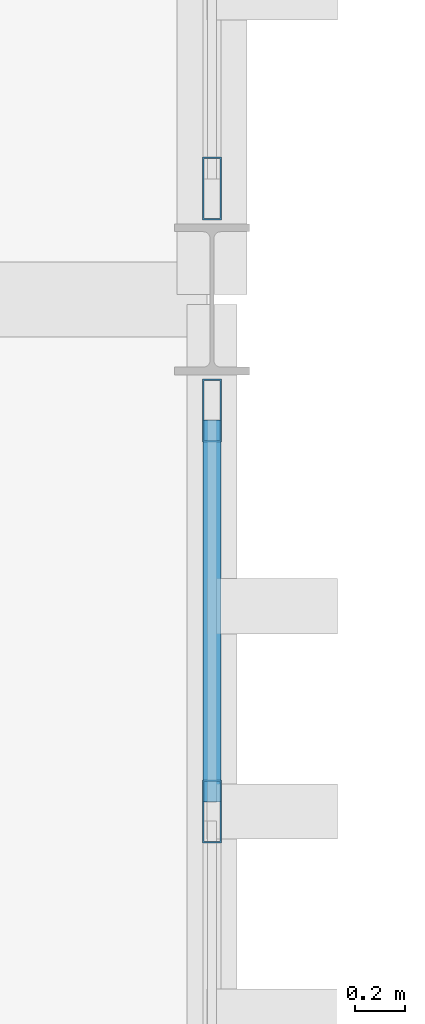
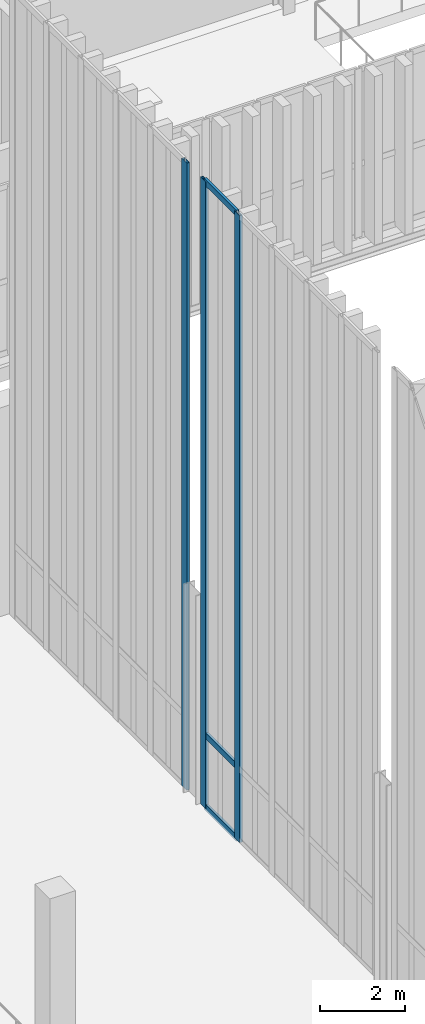
# One storey, part 55 of 237: 6 members, 2 elements without a shape of their own.
"""IFC4 building model written with IfcOpenShell, lengths in metres."""

from ifc_helpers import new_model, si_unit, direction, frame, origin, origin_2d, place, context, subcontext, project, spatial, hollow_rectangle, extrude, material, layer, layer_set, material_profile, profile_set, type_object, element, aggregate, save


model = new_model("IFC4")

# Units and contexts
model_context = context("Model", 3, precision=1e-05, world=origin(), true_north=direction((0.0, 1.0)))
body_context = subcontext(model_context, "Body", "Model", "MODEL_VIEW")
ifc_project = project(units=[si_unit("LENGTHUNIT", "METRE"), si_unit("AREAUNIT", "SQUARE_METRE"), si_unit("VOLUMEUNIT", "CUBIC_METRE"), si_unit("PLANEANGLEUNIT", "RADIAN"), si_unit("MASSUNIT", "GRAM", prefix="KILO")], contexts=[model_context])

# Site, building, storey
site_placement = place(None, origin())
site = spatial("IfcSite", under=ifc_project, at=site_placement, CompositionType="ELEMENT")
building_placement = place(site_placement, origin())
building = spatial("IfcBuilding", under=site, at=building_placement, Name="Barlavento Convention Centre", CompositionType="ELEMENT")
storey_placement = place(building_placement, frame((0.0, 0.0, 12.0)))
storey = spatial("IfcBuildingStorey", under=building, at=storey_placement, Name="L02", CompositionType="ELEMENT", Elevation=12.0)

# Curtain wall, members
ifc_material_1 = material(Name="Powder-coated aluminium and Low-E glass", Category="aluminium")
ifc_layer = layer(ifc_material_1, 0.18994140625)
ifc_layer_set = layer_set([ifc_layer], Name="ARC-CW-CONG-L02")
curtain_wall_type = type_object("IfcCurtainWallType", Name="ARC-CW-CONG-L02", PredefinedType="NOTDEFINED", material=ifc_layer_set)
curtain_wall_1_placement = place(storey_placement, origin())
curtain_wall_1 = element("IfcCurtainWall", 1, at=curtain_wall_1_placement, inside=storey, type_object=curtain_wall_type, Name="L02 unitised curtain wall CW02", PredefinedType="NOTDEFINED")
ifc_material_2 = material(Name="Powder-coated aluminium", Category="aluminium")
ifc_material_profile_1 = material_profile(ifc_material_2, hollow_rectangle(XDim=0.074951171875, YDim=0.25, WallThickness=0.006103515625, at=origin_2d()), Name="AL-MULL 75x250x6")
ifc_profile_set_1 = profile_set([ifc_material_profile_1], Name="Powder-coated aluminium")
member_type_1 = type_object("IfcMemberType", Name="ARC-CWM-75X250", PredefinedType="MULLION", material=ifc_profile_set_1)
member_1_placement = place(storey_placement, frame((63.0, 24.958984375, 0.0), z_axis=(0.0, 0.0, 1.0), x_axis=(-1.0, 0.0, 0.0)))
member_1 = element("IfcMember", 2, at=member_1_placement, type_object=member_type_1, Name="CW02 mullion 5", PredefinedType="MULLION", context=body_context, shape_type="SweptSolid", body=[
    extrude(hollow_rectangle(XDim=0.074951171875, YDim=0.25, WallThickness=0.006103515625, at=origin_2d()), origin(), (0.0, 0.0, 1.0), 18.037109375),
])
member_2_placement = place(storey_placement, frame((63.0, 26.5576171875, 0.0), z_axis=(0.0, 0.0, 1.0), x_axis=(-1.0, 0.0, 0.0)))
member_2 = element("IfcMember", 3, at=member_2_placement, type_object=member_type_1, Name="CW02 mullion 6", PredefinedType="MULLION", context=body_context, shape_type="SweptSolid", body=[
    extrude(hollow_rectangle(XDim=0.074951171875, YDim=0.25, WallThickness=0.006103515625, at=origin_2d()), origin(), (0.0, 0.0, 1.0), 18.037109375),
])

# Curtain wall, member
curtain_wall_2_placement = place(storey_placement, origin())
curtain_wall_2 = element("IfcCurtainWall", 4, at=curtain_wall_2_placement, inside=storey, type_object=curtain_wall_type, Name="L02 unitised curtain wall CW02", PredefinedType="NOTDEFINED")
member_3_placement = place(storey_placement, frame((63.0, 27.4423828125, 0.0), z_axis=(0.0, 0.0, 1.0), x_axis=(-1.0, 0.0, 0.0)))
member_3 = element("IfcMember", 5, at=member_3_placement, type_object=member_type_1, Name="CW02 mullion 1", PredefinedType="MULLION", context=body_context, shape_type="SweptSolid", body=[
    extrude(hollow_rectangle(XDim=0.074951171875, YDim=0.25, WallThickness=0.006103515625, at=origin_2d()), origin(), (0.0, 0.0, 1.0), 18.037109375),
])
aggregate(curtain_wall_2, [member_3])

# Member
ifc_material_profile_2 = material_profile(ifc_material_2, hollow_rectangle(XDim=0.070068359375, YDim=0.179931640625, WallThickness=0.0048828125, at=origin_2d()), Name="AL-TRAN 70x180x5")
ifc_profile_set_2 = profile_set([ifc_material_profile_2], Name="Powder-coated aluminium")
member_type_2 = type_object("IfcMemberType", Name="ARC-CWT-70X180", PredefinedType="USERDEFINED", material=ifc_profile_set_2)
member_4_placement = place(storey_placement, frame((63.0, 24.99658203125, 0.034912109375), z_axis=(0.0, 1.0, 0.0), x_axis=(-1.0, 0.0, 0.0)))
member_4 = element("IfcMember", 6, at=member_4_placement, type_object=member_type_2, Name="CW02 transom 5.1", ObjectType="TRANSOM", PredefinedType="USERDEFINED", context=body_context, shape_type="SweptSolid", body=[
    extrude(hollow_rectangle(XDim=0.070068359375, YDim=0.179931640625, WallThickness=0.0048828125, at=origin_2d()), origin(), (0.0, 0.0, 1.0), 1.5234375),
])

member_5_placement = place(storey_placement, frame((63.0, 24.99658203125, 2.10009765625), z_axis=(0.0, 1.0, 0.0), x_axis=(-1.0, 0.0, 0.0)))
member_5 = element("IfcMember", 7, at=member_5_placement, type_object=member_type_2, Name="CW02 transom 5.2", ObjectType="TRANSOM", PredefinedType="USERDEFINED", context=body_context, shape_type="SweptSolid", body=[
    extrude(hollow_rectangle(XDim=0.070068359375, YDim=0.179931640625, WallThickness=0.0048828125, at=origin_2d()), origin(), (0.0, 0.0, 1.0), 1.5234375),
])

member_6_placement = place(storey_placement, frame((63.0, 24.99658203125, 18.001953125), z_axis=(0.0, 1.0, 0.0), x_axis=(-1.0, 0.0, 0.0)))
member_6 = element("IfcMember", 8, at=member_6_placement, type_object=member_type_2, Name="CW02 transom 5.3", ObjectType="TRANSOM", PredefinedType="USERDEFINED", context=body_context, shape_type="SweptSolid", body=[
    extrude(hollow_rectangle(XDim=0.070068359375, YDim=0.179931640625, WallThickness=0.0048828125, at=origin_2d()), origin(), (0.0, 0.0, 1.0), 1.5234375),
])

aggregate(curtain_wall_1, [member_1, member_2, member_4, member_5, member_6])

save(model, "model.ifc")
